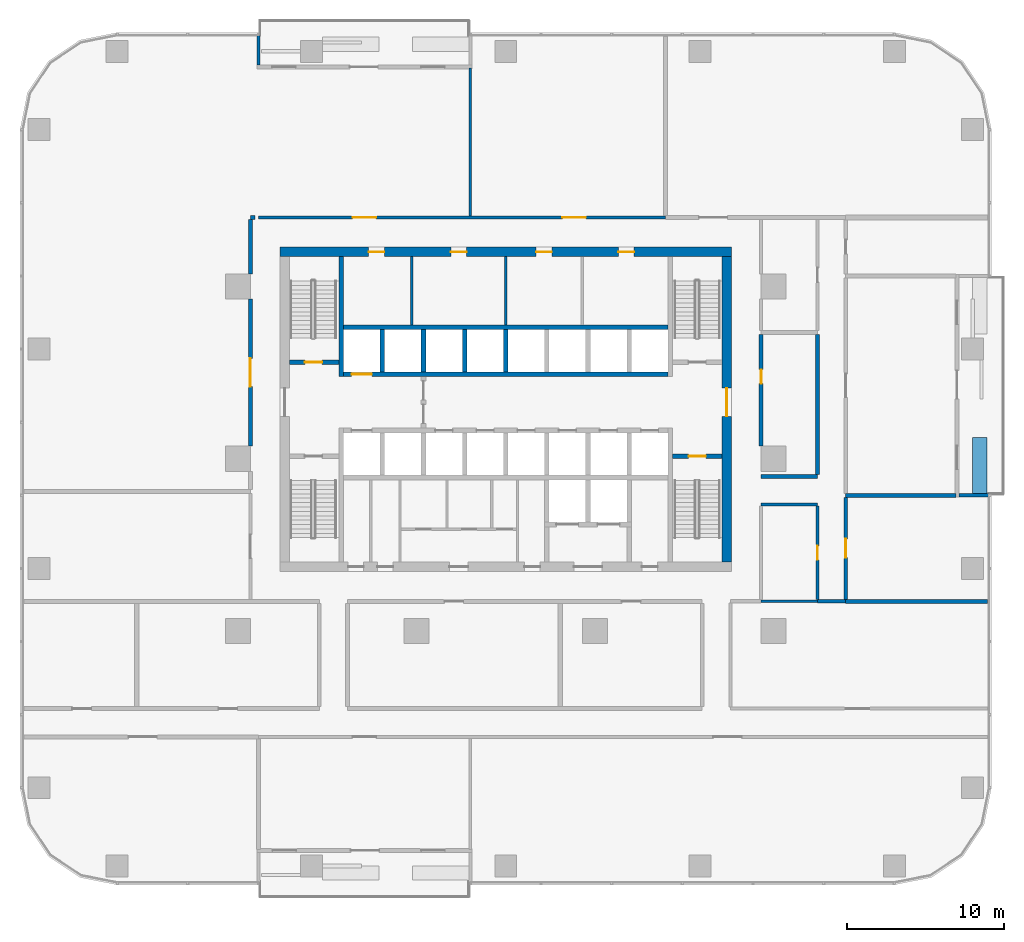
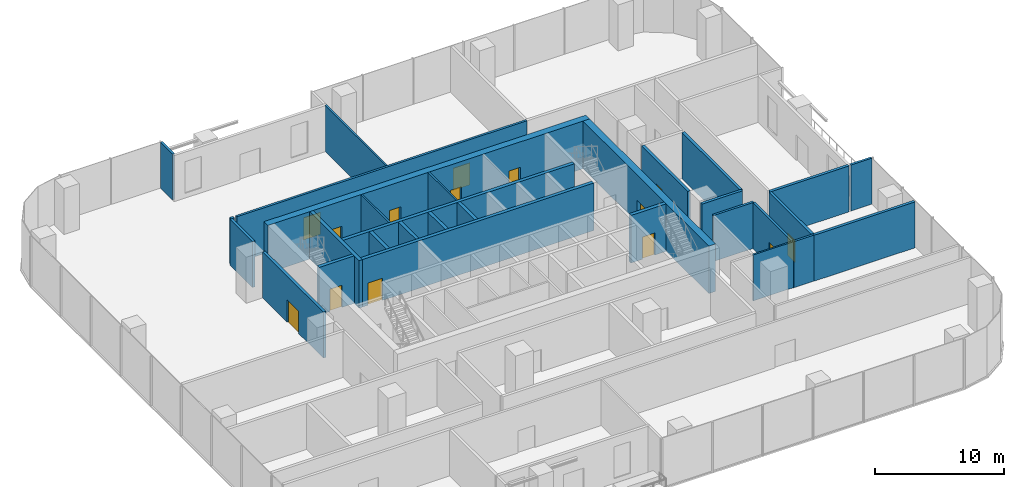
# One storey, part 9 of 15: 31 walls, 14 doors, 14 openings.
"""IFC4 building model written with IfcOpenShell, lengths in metres."""

from ifc_helpers import new_model, si_unit, direction, frame, frame_2d, origin, place, context, subcontext, project, spatial, rectangle, extrude, material, layer, layer_set, type_object, element, fill, save


model = new_model("IFC4")

# Units and contexts
model_context = context("Model", 3, precision=1e-05, world=origin(), true_north=direction((0.0, 1.0)))
body_context = subcontext(model_context, "Body", "Model", "MODEL_VIEW")
ifc_project = project(units=[si_unit("LENGTHUNIT", "METRE"), si_unit("AREAUNIT", "SQUARE_METRE"), si_unit("VOLUMEUNIT", "CUBIC_METRE"), si_unit("PLANEANGLEUNIT", "RADIAN"), si_unit("MASSUNIT", "GRAM", prefix="KILO")], contexts=[model_context])

# Site, building, storey
site_placement = place(None, origin())
site = spatial("IfcSite", under=ifc_project, at=site_placement, CompositionType="ELEMENT")
building_placement = place(site_placement, origin())
building = spatial("IfcBuilding", under=site, at=building_placement, Name="Mopane Tessera Tower", CompositionType="ELEMENT")
storey_placement = place(building_placement, frame((0.0, 0.0, 64.60009765625)))
storey = spatial("IfcBuildingStorey", under=building, at=storey_placement, Name="L12", CompositionType="ELEMENT", Elevation=64.60009765625)

# Walls
ifc_material_1 = material(Name="Fire-rated gypsum board partition")
ifc_layer_1 = layer(ifc_material_1, 0.14990234375)
ifc_layer_set_1 = layer_set([ifc_layer_1], Name="Fire-rated gypsum board partition")
wall_type_1 = type_object("IfcWallType", Name="Core room partition 150 mm", PredefinedType="PARTITIONING", material=ifc_layer_set_1)
for number, where, z_axis, x_axis, name in (
    (1, (-6.0, 8.550048828125, 0.0), (0.0, 0.0, 1.0), (0.0, 1.0, 0.0), "L12 Room partition"),
    (2, (0.0, 8.550048828125, 0.0), (0.0, 0.0, 1.0), (0.0, 1.0, 0.0), "L12 Room partition"),
):
    element("IfcWall", number, at=place(storey_placement, frame(where, z_axis=z_axis, x_axis=x_axis)), inside=storey, type_object=wall_type_1, Name=name, PredefinedType="PARTITIONING", context=body_context, shape_type="SweptSolid", body=[
        extrude(rectangle(XDim=4.349853515625, YDim=0.14990234375, at=frame_2d((2.1748046875, 0.0))), origin(), (0.0, 0.0, 1.0), 4.5),
    ])

# Wall, openings, doors
ifc_material_2 = material(Name="Concrete C70/85", Category="concrete")
ifc_layer_2 = layer(ifc_material_2, 0.60009765625)
ifc_layer_set_2 = layer_set([ifc_layer_2], Name="Concrete C70/85")
wall_type_2 = type_object("IfcWallType", Name="Core shear wall 600 mm", PredefinedType="SHEAR", material=ifc_layer_set_2)
wall_1_placement = place(storey_placement, frame((-14.39990234375, 13.199951171875, 0.0), z_axis=(0.0, 0.0, 1.0), x_axis=(1.0, 0.0, 0.0)))
wall_1 = element("IfcWall", 3, at=wall_1_placement, inside=storey, type_object=wall_type_2, Name="L12 Core wall north", PredefinedType="SHEAR", context=body_context, shape_type="SweptSolid", body=[
    extrude(rectangle(XDim=28.7998046875, YDim=0.60009765625, at=frame_2d((14.39990234375, 0.0))), origin(), (0.0, 0.0, 1.0), 4.5),
])
opening_1_placement = place(wall_1_placement, frame((5.64990234375, 0.0, 0.0)))
opening_1 = element("IfcOpeningElement", 4, at=opening_1_placement, cuts=wall_1, Name="Opening RD1", PredefinedType="OPENING", context=body_context, shape_type="SweptSolid", body=[
    extrude(rectangle(XDim=1.0, YDim=2.10009765625, at=frame_2d((0.5, 1.050048828125))), frame((0.0, 0.31201171875, 0.0), z_axis=(0.0, -1.0, 0.0), x_axis=(1.0, 0.0, 0.0)), (0.0, 0.0, 1.0), 0.6240234375),
])
opening_2_placement = place(wall_1_placement, frame((10.89990234375, 0.0, 0.0)))
opening_2 = element("IfcOpeningElement", 5, at=opening_2_placement, cuts=wall_1, Name="Opening RD1", PredefinedType="OPENING", context=body_context, shape_type="SweptSolid", body=[
    extrude(rectangle(XDim=1.0, YDim=2.10009765625, at=frame_2d((0.5, 1.050048828125))), frame((0.0, 0.31201171875, 0.0), z_axis=(0.0, -1.0, 0.0), x_axis=(1.0, 0.0, 0.0)), (0.0, 0.0, 1.0), 0.6240234375),
])
opening_3_placement = place(wall_1_placement, frame((16.33740234375, 0.0, 0.0)))
opening_3 = element("IfcOpeningElement", 6, at=opening_3_placement, cuts=wall_1, Name="Opening RD1", PredefinedType="OPENING", context=body_context, shape_type="SweptSolid", body=[
    extrude(rectangle(XDim=1.0, YDim=2.10009765625, at=frame_2d((0.5, 1.050048828125))), frame((0.0, 0.31201171875, 0.0), z_axis=(0.0, -1.0, 0.0), x_axis=(1.0, 0.0, 0.0)), (0.0, 0.0, 1.0), 0.6240234375),
])
opening_4_placement = place(wall_1_placement, frame((21.58740234375, 0.0, 0.0)))
opening_4 = element("IfcOpeningElement", 7, at=opening_4_placement, cuts=wall_1, Name="Opening RD1", PredefinedType="OPENING", context=body_context, shape_type="SweptSolid", body=[
    extrude(rectangle(XDim=1.0, YDim=2.10009765625, at=frame_2d((0.5, 1.050048828125))), frame((0.0, 0.31201171875, 0.0), z_axis=(0.0, -1.0, 0.0), x_axis=(1.0, 0.0, 0.0)), (0.0, 0.0, 1.0), 0.6240234375),
])
ifc_material_3 = material(Name="Timber door", Category="wood")
door_type_1 = type_object("IfcDoorType", Name="Core room door 1000 x 2100", OperationType="SINGLE_SWING_LEFT", PredefinedType="DOOR", material=ifc_material_3)
door_1_placement = place(opening_1_placement, origin())
door_1 = element("IfcDoor", 8, at=door_1_placement, inside=storey, type_object=door_type_1, Name="L12 Room door", OperationType="SINGLE_SWING_LEFT", OverallHeight=2.10009765625, OverallWidth=1.0, PredefinedType="DOOR", context=body_context, shape_type="SweptSolid", body=[
    extrude(rectangle(XDim=1.0, YDim=2.10009765625, at=frame_2d((0.5, 1.050048828125))), frame((0.0, 0.02490234375, 0.0), z_axis=(0.0, -1.0, 0.0), x_axis=(1.0, 0.0, 0.0)), (0.0, 0.0, 1.0), 0.050048828125),
])
fill(opening_1, door_1)
door_2_placement = place(opening_2_placement, origin())
door_2 = element("IfcDoor", 9, at=door_2_placement, inside=storey, type_object=door_type_1, Name="L12 Room door", OperationType="SINGLE_SWING_LEFT", OverallHeight=2.10009765625, OverallWidth=1.0, PredefinedType="DOOR", context=body_context, shape_type="SweptSolid", body=[
    extrude(rectangle(XDim=1.0, YDim=2.10009765625, at=frame_2d((0.5, 1.050048828125))), frame((0.0, 0.02490234375, 0.0), z_axis=(0.0, -1.0, 0.0), x_axis=(1.0, 0.0, 0.0)), (0.0, 0.0, 1.0), 0.050048828125),
])
fill(opening_2, door_2)
door_3_placement = place(opening_3_placement, origin())
door_3 = element("IfcDoor", 10, at=door_3_placement, inside=storey, type_object=door_type_1, Name="L12 Room door", OperationType="SINGLE_SWING_LEFT", OverallHeight=2.10009765625, OverallWidth=1.0, PredefinedType="DOOR", context=body_context, shape_type="SweptSolid", body=[
    extrude(rectangle(XDim=1.0, YDim=2.10009765625, at=frame_2d((0.5, 1.050048828125))), frame((0.0, 0.02490234375, 0.0), z_axis=(0.0, -1.0, 0.0), x_axis=(1.0, 0.0, 0.0)), (0.0, 0.0, 1.0), 0.050048828125),
])
fill(opening_3, door_3)
door_4_placement = place(opening_4_placement, origin())
door_4 = element("IfcDoor", 11, at=door_4_placement, inside=storey, type_object=door_type_1, Name="L12 Room door", OperationType="SINGLE_SWING_LEFT", OverallHeight=2.10009765625, OverallWidth=1.0, PredefinedType="DOOR", context=body_context, shape_type="SweptSolid", body=[
    extrude(rectangle(XDim=1.0, YDim=2.10009765625, at=frame_2d((0.5, 1.050048828125))), frame((0.0, 0.02490234375, 0.0), z_axis=(0.0, -1.0, 0.0), x_axis=(1.0, 0.0, 0.0)), (0.0, 0.0, 1.0), 0.050048828125),
])
fill(opening_4, door_4)

# Wall, opening, door
wall_2_placement = place(storey_placement, frame((14.10009765625, -6.60009765625, 0.0), z_axis=(0.0, 0.0, 1.0), x_axis=(0.0, 1.0, 0.0)))
wall_2 = element("IfcWall", 12, at=wall_2_placement, inside=storey, type_object=wall_type_2, Name="L12 Core wall east", PredefinedType="SHEAR", context=body_context, shape_type="SweptSolid", body=[
    extrude(rectangle(XDim=19.5, YDim=0.60009765625, at=frame_2d((9.75, 0.0))), origin(), (0.0, 0.0, 1.0), 4.5),
])
opening_5_placement = place(wall_2_placement, frame((9.300048828125, 0.0, 0.0)))
opening_5 = element("IfcOpeningElement", 13, at=opening_5_placement, cuts=wall_2, Name="Opening SD2", PredefinedType="OPENING", context=body_context, shape_type="SweptSolid", body=[
    extrude(rectangle(XDim=1.800048828125, YDim=2.10009765625, at=frame_2d((0.89990234375, 1.050048828125))), frame((0.0, 0.31201171875, 0.0), z_axis=(0.0, -1.0, 0.0), x_axis=(1.0, 0.0, 0.0)), (0.0, 0.0, 1.0), 0.6240234375),
])
ifc_material_4 = material(Name="Steel fire door", Category="steel")
door_type_2 = type_object("IfcDoorType", Name="Core entrance double door 1800 x 2100", OperationType="DOUBLE_DOOR_SINGLE_SWING", PredefinedType="DOOR", material=ifc_material_4)
door_5_placement = place(opening_5_placement, origin())
door_5 = element("IfcDoor", 14, at=door_5_placement, inside=storey, type_object=door_type_2, Name="L12 Core entrance door east", OperationType="DOUBLE_DOOR_SINGLE_SWING", OverallHeight=2.10009765625, OverallWidth=1.800048828125, PredefinedType="DOOR", context=body_context, shape_type="SweptSolid", body=[
    extrude(rectangle(XDim=1.800048828125, YDim=2.10009765625, at=frame_2d((0.89990234375, 1.050048828125))), frame((0.0, 0.02490234375, 0.0), z_axis=(0.0, -1.0, 0.0), x_axis=(1.0, 0.0, 0.0)), (0.0, 0.0, 1.0), 0.050048828125),
])
fill(opening_5, door_5)

# Walls
ifc_material_5 = material(Name="Concrete C60/75", Category="concrete")
ifc_layer_3 = layer(ifc_material_5, 0.300048828125)
ifc_layer_set_3 = layer_set([ifc_layer_3], Name="Concrete C60/75")
wall_type_3 = type_object("IfcWallType", Name="Core spine wall 300 mm", PredefinedType="SHEAR", material=ifc_layer_set_3)
wall_3_placement = place(storey_placement, frame((-10.5, 5.25, 0.0), z_axis=(0.0, 0.0, 1.0), x_axis=(0.0, 1.0, 0.0)))
element("IfcWall", 15, at=wall_3_placement, inside=storey, type_object=wall_type_3, Name="L12 Core spine wall", PredefinedType="SHEAR", context=body_context, shape_type="SweptSolid", body=[
    extrude(rectangle(XDim=7.64990234375, YDim=0.300048828125, at=frame_2d((3.824951171875, 0.0))), origin(), (0.0, 0.0, 1.0), 4.5),
])
ifc_material_6 = material(Name="Gypsum board on steel studs, two layers each face, mineral wool infill", Category="steel")
ifc_layer_4 = layer(ifc_material_6, 0.199951171875)
ifc_layer_set_4 = layer_set([ifc_layer_4], Name="Gypsum board on steel studs, two layers each face, mineral wool infill")
wall_type_4 = type_object("IfcWallType", Name="Gypsum board corridor wall 200, rated EI 60", PredefinedType="PARTITIONING", material=ifc_layer_set_4)
wall_4_placement = place(storey_placement, frame((19.89990234375, -9.10009765625, 0.0), z_axis=(0.0, 0.0, 1.0), x_axis=(1.0, 0.0, 0.0)))
element("IfcWall", 16, at=wall_4_placement, inside=storey, type_object=wall_type_4, Name="Partition L12:007", PredefinedType="PARTITIONING", context=body_context, shape_type="SweptSolid", body=[
    extrude(rectangle(XDim=1.800048828125, YDim=0.199951171875, at=frame_2d((0.89990234375, 0.0))), origin(), (0.0, 0.0, 1.0), 4.349853515625),
])
wall_5_placement = place(storey_placement, frame((16.300048828125, -2.925048828125, 0.0), z_axis=(0.0, 0.0, 1.0), x_axis=(1.0, 0.0, 0.0)))
element("IfcWall", 17, at=wall_5_placement, inside=storey, type_object=wall_type_4, Name="Partition L12:011", PredefinedType="PARTITIONING", context=body_context, shape_type="SweptSolid", body=[
    extrude(rectangle(XDim=3.599853515625, YDim=0.199951171875, at=frame_2d((1.7998046875, 0.0))), origin(), (0.0, 0.0, 1.0), 4.349853515625),
])

# Wall, openings, doors
wall_6_placement = place(storey_placement, frame((-15.780029296875, 15.39990234375, 0.0), z_axis=(0.0, 0.0, 1.0), x_axis=(1.0, 0.0, 0.0)))
wall_6 = element("IfcWall", 18, at=wall_6_placement, inside=storey, type_object=wall_type_4, Name="Partition L12:017", PredefinedType="PARTITIONING", context=body_context, shape_type="SweptSolid", body=[
    extrude(rectangle(XDim=25.965087890625, YDim=0.199951171875, at=frame_2d((12.982421875, 0.0))), origin(), (0.0, 0.0, 1.0), 4.349853515625),
])
opening_6_placement = place(wall_6_placement, frame((19.39501953125, 0.0, 0.0)))
opening_6 = element("IfcOpeningElement", 19, at=opening_6_placement, cuts=wall_6, Name="Opening L12-13", PredefinedType="OPENING", context=body_context, shape_type="SweptSolid", body=[
    extrude(rectangle(XDim=1.5, YDim=2.10009765625, at=frame_2d((0.75, 1.050048828125))), frame((0.0, 0.112060546875, 0.0), z_axis=(0.0, -1.0, 0.0), x_axis=(1.0, 0.0, 0.0)), (0.0, 0.0, 1.0), 0.223876953125),
])
opening_7_placement = place(wall_6_placement, frame((6.012451171875, 0.0, 0.0)))
opening_7 = element("IfcOpeningElement", 20, at=opening_7_placement, cuts=wall_6, Name="Opening L12-17", PredefinedType="OPENING", context=body_context, shape_type="SweptSolid", body=[
    extrude(rectangle(XDim=1.5, YDim=2.10009765625, at=frame_2d((0.75, 1.050048828125))), frame((0.0, 0.112060546875, 0.0), z_axis=(0.0, -1.0, 0.0), x_axis=(1.0, 0.0, 0.0)), (0.0, 0.0, 1.0), 0.223876953125),
])
ifc_material_7 = material(Name="Timber veneered steel-framed fire door", Category="steel")
door_type_3 = type_object("IfcDoorType", Name="Fire door pair FD60 1500 x 2100", OperationType="DOUBLE_DOOR_SINGLE_SWING", PredefinedType="DOOR", material=ifc_material_7)
door_6_placement = place(opening_6_placement, origin())
door_6 = element("IfcDoor", 21, at=door_6_placement, inside=storey, type_object=door_type_3, Name="Door L12-13", ObjectType="D17A", OperationType="DOUBLE_DOOR_SINGLE_SWING", OverallHeight=2.10009765625, OverallWidth=1.5, PredefinedType="DOOR", context=body_context, shape_type="SweptSolid", body=[
    extrude(rectangle(XDim=1.5, YDim=2.10009765625, at=frame_2d((0.75, 1.050048828125))), frame((0.0, 0.02490234375, 0.0), z_axis=(0.0, -1.0, 0.0), x_axis=(1.0, 0.0, 0.0)), (0.0, 0.0, 1.0), 0.050048828125),
])
fill(opening_6, door_6)
door_7_placement = place(opening_7_placement, origin())
door_7 = element("IfcDoor", 22, at=door_7_placement, inside=storey, type_object=door_type_3, Name="Door L12-17", ObjectType="D17A", OperationType="DOUBLE_DOOR_SINGLE_SWING", OverallHeight=2.10009765625, OverallWidth=1.5, PredefinedType="DOOR", context=body_context, shape_type="SweptSolid", body=[
    extrude(rectangle(XDim=1.5, YDim=2.10009765625, at=frame_2d((0.75, 1.050048828125))), frame((0.0, 0.02490234375, 0.0), z_axis=(0.0, -1.0, 0.0), x_axis=(1.0, 0.0, 0.0)), (0.0, 0.0, 1.0), 0.050048828125),
])
fill(opening_7, door_7)

# Wall, opening, door
wall_7_placement = place(storey_placement, frame((19.89990234375, -9.0, 0.0), z_axis=(0.0, 0.0, 1.0), x_axis=(0.0, 1.0, 0.0)))
wall_7 = element("IfcWall", 23, at=wall_7_placement, inside=storey, type_object=wall_type_4, Name="Partition L12:039", PredefinedType="PARTITIONING", context=body_context, shape_type="SweptSolid", body=[
    extrude(rectangle(XDim=5.97509765625, YDim=0.199951171875, at=frame_2d((2.987548828125, 0.0))), origin(), (0.0, 0.0, 1.0), 4.349853515625),
])
opening_8_placement = place(wall_7_placement, frame((2.53759765625, 0.0, 0.0)))
opening_8 = element("IfcOpeningElement", 24, at=opening_8_placement, cuts=wall_7, Name="Opening L12-14", PredefinedType="OPENING", context=body_context, shape_type="SweptSolid", body=[
    extrude(rectangle(XDim=0.89990234375, YDim=2.10009765625, at=frame_2d((0.449951171875, 1.050048828125))), frame((0.0, 0.112060546875, 0.0), z_axis=(0.0, -1.0, 0.0), x_axis=(1.0, 0.0, 0.0)), (0.0, 0.0, 1.0), 0.223876953125),
])
ifc_material_8 = material(Name="Timber veneered steel-framed fire door", Category="steel")
door_type_4 = type_object("IfcDoorType", Name="Fire door FD60 900 x 2100", OperationType="SINGLE_SWING_LEFT", PredefinedType="DOOR", material=ifc_material_8)
door_8_placement = place(opening_8_placement, origin())
door_8 = element("IfcDoor", 25, at=door_8_placement, inside=storey, type_object=door_type_4, Name="Door L12-14", ObjectType="D10A", OperationType="SINGLE_SWING_LEFT", OverallHeight=2.10009765625, OverallWidth=0.89990234375, PredefinedType="DOOR", context=body_context, shape_type="SweptSolid", body=[
    extrude(rectangle(XDim=0.89990234375, YDim=2.10009765625, at=frame_2d((0.449951171875, 1.050048828125))), frame((0.0, 0.02490234375, 0.0), z_axis=(0.0, -1.0, 0.0), x_axis=(1.0, 0.0, 0.0)), (0.0, 0.0, 1.0), 0.050048828125),
])
fill(opening_8, door_8)

# Walls
ifc_material_9 = material(Name="Gypsum board on steel studs, mineral wool infill", Category="steel")
ifc_layer_5 = layer(ifc_material_9, 0.14990234375)
ifc_layer_set_5 = layer_set([ifc_layer_5], Name="Gypsum board on steel studs, mineral wool infill")
wall_type_5 = type_object("IfcWallType", Name="Gypsum board partition 150, rated EI 60", PredefinedType="PARTITIONING", material=ifc_layer_set_5)
wall_8_placement = place(storey_placement, frame((16.300048828125, -9.10009765625, 0.0), z_axis=(0.0, 0.0, 1.0), x_axis=(1.0, 0.0, 0.0)))
element("IfcWall", 26, at=wall_8_placement, inside=storey, type_object=wall_type_5, Name="Partition L12:005", PredefinedType="PARTITIONING", context=body_context, shape_type="SweptSolid", body=[
    extrude(rectangle(XDim=3.599853515625, YDim=0.14990234375, at=frame_2d((1.7998046875, 0.0))), origin(), (0.0, 0.0, 1.0), 4.349853515625),
])
wall_9_placement = place(storey_placement, frame((-2.2548828125, 15.5, 0.0), z_axis=(0.0, 0.0, 1.0), x_axis=(0.0, 1.0, 0.0)))
element("IfcWall", 27, at=wall_9_placement, inside=storey, type_object=wall_type_5, Name="Partition L12:030", PredefinedType="PARTITIONING", context=body_context, shape_type="SweptSolid", body=[
    extrude(rectangle(XDim=9.449951171875, YDim=0.14990234375, at=frame_2d((4.72509765625, 0.0))), origin(), (0.0, 0.0, 1.0), 4.349853515625),
])

# Wall, opening, door
ifc_material_10 = material(Name="Concrete C50/60", Category="concrete")
ifc_layer_6 = layer(ifc_material_10, 0.300048828125)
ifc_layer_set_6 = layer_set([ifc_layer_6], Name="Concrete C50/60")
wall_type_6 = type_object("IfcWallType", Name="Lift and stair shaft wall 300 mm", PredefinedType="SOLIDWALL", material=ifc_layer_set_6)
wall_10_placement = place(storey_placement, frame((-13.800048828125, 6.14990234375, 0.0), z_axis=(0.0, 0.0, 1.0), x_axis=(1.0, 0.0, 0.0)))
wall_10 = element("IfcWall", 28, at=wall_10_placement, inside=storey, type_object=wall_type_6, Name="L12 Stair enclosure wall", PredefinedType="SOLIDWALL", context=body_context, shape_type="SweptSolid", body=[
    extrude(rectangle(XDim=3.150146484375, YDim=0.300048828125, at=frame_2d((1.5751953125, 0.0))), origin(), (0.0, 0.0, 1.0), 4.5),
])
opening_9_placement = place(wall_10_placement, frame((0.97509765625, 0.0, 0.0)))
opening_9 = element("IfcOpeningElement", 29, at=opening_9_placement, cuts=wall_10, Name="Opening SD1", PredefinedType="OPENING", context=body_context, shape_type="SweptSolid", body=[
    extrude(rectangle(XDim=1.10009765625, YDim=2.10009765625, at=frame_2d((0.550048828125, 1.050048828125))), frame((0.0, 0.162109375, 0.0), z_axis=(0.0, -1.0, 0.0), x_axis=(1.0, 0.0, 0.0)), (0.0, 0.0, 1.0), 0.323974609375),
])
ifc_material_11 = material(Name="Steel fire door", Category="steel")
door_type_5 = type_object("IfcDoorType", Name="Stair fire door 1100 x 2100", OperationType="SINGLE_SWING_LEFT", PredefinedType="DOOR", material=ifc_material_11)
door_9_placement = place(opening_9_placement, origin())
door_9 = element("IfcDoor", 30, at=door_9_placement, inside=storey, type_object=door_type_5, Name="L12 Stair door ST2", OperationType="SINGLE_SWING_LEFT", OverallHeight=2.10009765625, OverallWidth=1.10009765625, PredefinedType="DOOR", context=body_context, shape_type="SweptSolid", body=[
    extrude(rectangle(XDim=1.10009765625, YDim=2.10009765625, at=frame_2d((0.550048828125, 1.050048828125))), frame((0.0, 0.02490234375, 0.0), z_axis=(0.0, -1.0, 0.0), x_axis=(1.0, 0.0, 0.0)), (0.0, 0.0, 1.0), 0.050048828125),
])
fill(opening_9, door_9)

wall_11_placement = place(storey_placement, frame((10.64990234375, 0.14990234375, 0.0), z_axis=(0.0, 0.0, 1.0), x_axis=(1.0, 0.0, 0.0)))
wall_11 = element("IfcWall", 31, at=wall_11_placement, inside=storey, type_object=wall_type_6, Name="L12 Stair enclosure wall", PredefinedType="SOLIDWALL", context=body_context, shape_type="SweptSolid", body=[
    extrude(rectangle(XDim=3.150146484375, YDim=0.300048828125, at=frame_2d((1.5751953125, 0.0))), origin(), (0.0, 0.0, 1.0), 4.5),
])
opening_10_placement = place(wall_11_placement, frame((1.02490234375, 0.0, 0.0)))
opening_10 = element("IfcOpeningElement", 32, at=opening_10_placement, cuts=wall_11, Name="Opening SD1", PredefinedType="OPENING", context=body_context, shape_type="SweptSolid", body=[
    extrude(rectangle(XDim=1.10009765625, YDim=2.10009765625, at=frame_2d((0.550048828125, 1.050048828125))), frame((0.0, 0.162109375, 0.0), z_axis=(0.0, -1.0, 0.0), x_axis=(1.0, 0.0, 0.0)), (0.0, 0.0, 1.0), 0.323974609375),
])
door_10_placement = place(opening_10_placement, origin())
door_10 = element("IfcDoor", 33, at=door_10_placement, inside=storey, type_object=door_type_5, Name="L12 Stair door ST3", OperationType="SINGLE_SWING_RIGHT", OverallHeight=2.10009765625, OverallWidth=1.10009765625, PredefinedType="DOOR", context=body_context, shape_type="SweptSolid", body=[
    extrude(rectangle(XDim=1.10009765625, YDim=2.10009765625, at=frame_2d((0.550048828125, 1.050048828125))), frame((0.0, 0.02490234375, 0.0), z_axis=(0.0, -1.0, 0.0), x_axis=(1.0, 0.0, 0.0)), (0.0, 0.0, 1.0), 0.050048828125),
])
fill(opening_10, door_10)

wall_12_placement = place(storey_placement, frame((-10.35009765625, 5.39990234375, 0.0), z_axis=(0.0, 0.0, 1.0), x_axis=(1.0, 0.0, 0.0)))
wall_12 = element("IfcWall", 34, at=wall_12_placement, inside=storey, type_object=wall_type_6, Name="L12 Lift shaft front wall", PredefinedType="SOLIDWALL", context=body_context, shape_type="SweptSolid", body=[
    extrude(rectangle(XDim=20.7001953125, YDim=0.300048828125, at=frame_2d((10.35009765625, 0.0))), origin(), (0.0, 0.0, 1.0), 4.5),
])
opening_11_placement = place(wall_12_placement, frame((0.512451171875, 0.0, 0.0)))
opening_11 = element("IfcOpeningElement", 35, at=opening_11_placement, cuts=wall_12, Name="Opening LD2", PredefinedType="OPENING", context=body_context, shape_type="SweptSolid", body=[
    extrude(rectangle(XDim=1.300048828125, YDim=2.10009765625, at=frame_2d((0.64990234375, 1.050048828125))), frame((0.0, 0.162109375, 0.0), z_axis=(0.0, -1.0, 0.0), x_axis=(1.0, 0.0, 0.0)), (0.0, 0.0, 1.0), 0.323974609375),
])
ifc_material_12 = material(Name="Stainless steel sliding door", Category="steel")
door_type_6 = type_object("IfcDoorType", Name="Fire-fighting lift landing door 1300 x 2100", OperationType="DOUBLE_DOOR_SLIDING", PredefinedType="DOOR", material=ifc_material_12)
door_11_placement = place(opening_11_placement, origin())
door_11 = element("IfcDoor", 36, at=door_11_placement, inside=storey, type_object=door_type_6, Name="L12 Lift landing door FF2", OperationType="DOUBLE_DOOR_SLIDING", OverallHeight=2.10009765625, OverallWidth=1.300048828125, PredefinedType="DOOR", context=body_context, shape_type="SweptSolid", body=[
    extrude(rectangle(XDim=1.300048828125, YDim=2.10009765625, at=frame_2d((0.64990234375, 1.050048828125))), frame((0.0, 0.02490234375, 0.0), z_axis=(0.0, -1.0, 0.0), x_axis=(1.0, 0.0, 0.0)), (0.0, 0.0, 1.0), 0.050048828125),
])
fill(opening_11, door_11)

# Walls
wall_13_placement = place(storey_placement, frame((-10.35009765625, 8.39990234375, 0.0), z_axis=(0.0, 0.0, 1.0), x_axis=(1.0, 0.0, 0.0)))
element("IfcWall", 37, at=wall_13_placement, inside=storey, type_object=wall_type_6, Name="L12 Lift shaft rear wall", PredefinedType="SOLIDWALL", context=body_context, shape_type="SweptSolid", body=[
    extrude(rectangle(XDim=20.7001953125, YDim=0.300048828125, at=frame_2d((10.35009765625, 0.0))), origin(), (0.0, 0.0, 1.0), 4.5),
])
for number, where, z_axis, x_axis, name in (
    (38, (-7.875, 5.550048828125, 0.0), (0.0, 0.0, 1.0), (0.0, 1.0, 0.0), "L12 Lift shaft wall"),
    (39, (-5.25, 5.550048828125, 0.0), (0.0, 0.0, 1.0), (0.0, 1.0, 0.0), "L12 Lift shaft wall"),
    (40, (-2.625, 5.550048828125, 0.0), (0.0, 0.0, 1.0), (0.0, 1.0, 0.0), "L12 Lift shaft wall"),
    (41, (0.0, 5.550048828125, 0.0), (0.0, 0.0, 1.0), (0.0, 1.0, 0.0), "L12 Lift shaft wall"),
):
    element("IfcWall", number, at=place(storey_placement, frame(where, z_axis=z_axis, x_axis=x_axis)), inside=storey, type_object=wall_type_6, Name=name, PredefinedType="SOLIDWALL", context=body_context, shape_type="SweptSolid", body=[
        extrude(rectangle(XDim=2.699951171875, YDim=0.300048828125, at=frame_2d((1.35009765625, 0.0))), origin(), (0.0, 0.0, 1.0), 4.5),
    ])
ifc_material_13 = material(Name="Reinforced concrete C32/40 with waterproofing", Category="concrete")
ifc_layer_7 = layer(ifc_material_13, 0.89990234375)
ifc_layer_set_7 = layer_set([ifc_layer_7], Name="Reinforced concrete C32/40 with waterproofing")
wall_type_7 = type_object("IfcWallType", Name="Planter trough 3600 x 900", PredefinedType="STANDARD", material=ifc_layer_set_7)
wall_14_placement = place(storey_placement, frame((30.25, -2.2333984375, 0.0), z_axis=(0.0, 0.0, 1.0), x_axis=(0.0, 1.0, 0.0)))
element("IfcWall", 42, at=wall_14_placement, inside=storey, type_object=wall_type_7, Name="e:nw:L12:N1:pl0", PredefinedType="STANDARD", context=body_context, shape_type="SweptSolid", body=[
    extrude(rectangle(XDim=3.60009765625, YDim=0.89990234375, at=frame_2d((1.800048828125, 0.0))), origin(), (0.0, 0.0, 1.0), 0.699951171875),
])
ifc_material_14 = material(Name="Plastered concrete blockwork C20/25", Category="masonry")
ifc_layer_8 = layer(ifc_material_14, 0.25)
ifc_layer_set_8 = layer_set([ifc_layer_8], Name="Plastered concrete blockwork C20/25")
wall_type_8 = type_object("IfcWallType", Name="Plastered blockwork wall 250, rated EI 120", PredefinedType="PARTITIONING", material=ifc_layer_set_8)
wall_15_placement = place(storey_placement, frame((21.699951171875, -9.10009765625, 0.0), z_axis=(0.0, 0.0, 1.0), x_axis=(1.0, 0.0, 0.0)))
element("IfcWall", 43, at=wall_15_placement, inside=storey, type_object=wall_type_8, Name="Partition L12:010", PredefinedType="PARTITIONING", context=body_context, shape_type="SweptSolid", body=[
    extrude(rectangle(XDim=9.050048828125, YDim=0.25, at=frame_2d((4.52490234375, 0.0))), origin(), (0.0, 0.0, 1.0), 4.349853515625),
])
wall_16_placement = place(storey_placement, frame((21.699951171875, -2.3349609375, 0.0), z_axis=(0.0, 0.0, 1.0), x_axis=(1.0, 0.0, 0.0)))
element("IfcWall", 44, at=wall_16_placement, inside=storey, type_object=wall_type_8, Name="Partition L12:012", PredefinedType="PARTITIONING", context=body_context, shape_type="SweptSolid", body=[
    extrude(rectangle(XDim=7.050048828125, YDim=0.25, at=frame_2d((3.52490234375, 0.0))), origin(), (0.0, 0.0, 1.0), 4.349853515625),
])
wall_17_placement = place(storey_placement, frame((16.300048828125, -1.125, 0.0), z_axis=(0.0, 0.0, 1.0), x_axis=(1.0, 0.0, 0.0)))
element("IfcWall", 45, at=wall_17_placement, inside=storey, type_object=wall_type_8, Name="Partition L12:014", PredefinedType="PARTITIONING", context=body_context, shape_type="SweptSolid", body=[
    extrude(rectangle(XDim=3.599853515625, YDim=0.25, at=frame_2d((1.7998046875, 0.0))), origin(), (0.0, 0.0, 1.0), 4.349853515625),
])
wall_18_placement = place(storey_placement, frame((-16.300048828125, 15.39990234375, 0.0), z_axis=(0.0, 0.0, 1.0), x_axis=(1.0, 0.0, 0.0)))
element("IfcWall", 46, at=wall_18_placement, inside=storey, type_object=wall_type_8, Name="Partition L12:018", PredefinedType="PARTITIONING", context=body_context, shape_type="SweptSolid", body=[
    extrude(rectangle(XDim=0.300048828125, YDim=0.25, at=frame_2d((0.14990234375, 0.0))), origin(), (0.0, 0.0, 1.0), 4.349853515625),
])

# Wall, opening, door
wall_19_placement = place(storey_placement, frame((-16.300048828125, 0.800048828125, 0.0), z_axis=(0.0, 0.0, 1.0), x_axis=(0.0, 1.0, 0.0)))
wall_19 = element("IfcWall", 47, at=wall_19_placement, inside=storey, type_object=wall_type_8, Name="Partition L12:024", PredefinedType="PARTITIONING", context=body_context, shape_type="SweptSolid", body=[
    extrude(rectangle(XDim=9.39990234375, YDim=0.25, at=frame_2d((4.699951171875, 0.0))), origin(), (0.0, 0.0, 1.0), 4.349853515625),
])
opening_12_placement = place(wall_19_placement, frame((3.800048828125, 0.0, 0.0)))
opening_12 = element("IfcOpeningElement", 48, at=opening_12_placement, cuts=wall_19, Name="Opening L12-07", PredefinedType="OPENING", context=body_context, shape_type="SweptSolid", body=[
    extrude(rectangle(XDim=1.800048828125, YDim=2.10009765625, at=frame_2d((0.89990234375, 1.050048828125))), frame((0.0, 0.136962890625, 0.0), z_axis=(0.0, -1.0, 0.0), x_axis=(1.0, 0.0, 0.0)), (0.0, 0.0, 1.0), 0.27392578125),
])
ifc_material_15 = material(Name="Timber veneered steel-framed fire door", Category="steel")
door_type_7 = type_object("IfcDoorType", Name="Fire door pair FD120 1800 x 2100", OperationType="DOUBLE_DOOR_SINGLE_SWING", PredefinedType="DOOR", material=ifc_material_15)
door_12_placement = place(opening_12_placement, origin())
door_12 = element("IfcDoor", 49, at=door_12_placement, inside=storey, type_object=door_type_7, Name="Door L12-07", ObjectType="D20B", OperationType="DOUBLE_DOOR_SINGLE_SWING", OverallHeight=2.10009765625, OverallWidth=1.800048828125, PredefinedType="DOOR", context=body_context, shape_type="SweptSolid", body=[
    extrude(rectangle(XDim=1.800048828125, YDim=2.10009765625, at=frame_2d((0.89990234375, 1.050048828125))), frame((0.0, 0.02490234375, 0.0), z_axis=(0.0, -1.0, 0.0), x_axis=(1.0, 0.0, 0.0)), (0.0, 0.0, 1.0), 0.050048828125),
])
fill(opening_12, door_12)

# Wall
wall_20_placement = place(storey_placement, frame((-16.300048828125, 11.800048828125, 0.0), z_axis=(0.0, 0.0, 1.0), x_axis=(0.0, 1.0, 0.0)))
element("IfcWall", 50, at=wall_20_placement, inside=storey, type_object=wall_type_8, Name="Partition L12:025", PredefinedType="PARTITIONING", context=body_context, shape_type="SweptSolid", body=[
    extrude(rectangle(XDim=3.474853515625, YDim=0.25, at=frame_2d((1.7373046875, 0.0))), origin(), (0.0, 0.0, 1.0), 4.349853515625),
])

# Wall, opening, door
wall_21_placement = place(storey_placement, frame((16.300048828125, 0.800048828125, 0.0), z_axis=(0.0, 0.0, 1.0), x_axis=(0.0, 1.0, 0.0)))
wall_21 = element("IfcWall", 51, at=wall_21_placement, inside=storey, type_object=wall_type_8, Name="Partition L12:038", PredefinedType="PARTITIONING", context=body_context, shape_type="SweptSolid", body=[
    extrude(rectangle(XDim=7.1298828125, YDim=0.25, at=frame_2d((3.56494140625, 0.0))), origin(), (0.0, 0.0, 1.0), 4.349853515625),
])
opening_13_placement = place(wall_21_placement, frame((3.987548828125, 0.0, 0.0)))
opening_13 = element("IfcOpeningElement", 52, at=opening_13_placement, cuts=wall_21, Name="Opening L12-12", PredefinedType="OPENING", context=body_context, shape_type="SweptSolid", body=[
    extrude(rectangle(XDim=0.89990234375, YDim=2.10009765625, at=frame_2d((0.449951171875, 1.050048828125))), frame((0.0, 0.136962890625, 0.0), z_axis=(0.0, -1.0, 0.0), x_axis=(1.0, 0.0, 0.0)), (0.0, 0.0, 1.0), 0.27392578125),
])
ifc_material_16 = material(Name="Timber veneered steel-framed fire door", Category="steel")
door_type_8 = type_object("IfcDoorType", Name="Fire door FD120 900 x 2100", OperationType="SINGLE_SWING_LEFT", PredefinedType="DOOR", material=ifc_material_16)
door_13_placement = place(opening_13_placement, origin())
door_13 = element("IfcDoor", 53, at=door_13_placement, inside=storey, type_object=door_type_8, Name="Door L12-12", ObjectType="D10B", OperationType="SINGLE_SWING_LEFT", OverallHeight=2.10009765625, OverallWidth=0.89990234375, PredefinedType="DOOR", context=body_context, shape_type="SweptSolid", body=[
    extrude(rectangle(XDim=0.89990234375, YDim=2.10009765625, at=frame_2d((0.449951171875, 1.050048828125))), frame((0.0, 0.02490234375, 0.0), z_axis=(0.0, -1.0, 0.0), x_axis=(1.0, 0.0, 0.0)), (0.0, 0.0, 1.0), 0.050048828125),
])
fill(opening_13, door_13)

# Wall
wall_22_placement = place(storey_placement, frame((19.89990234375, -1.0, 0.0), z_axis=(0.0, 0.0, 1.0), x_axis=(0.0, 1.0, 0.0)))
element("IfcWall", 54, at=wall_22_placement, inside=storey, type_object=wall_type_8, Name="Partition L12:041", PredefinedType="PARTITIONING", context=body_context, shape_type="SweptSolid", body=[
    extrude(rectangle(XDim=8.929931640625, YDim=0.25, at=frame_2d((4.46484375, 0.0))), origin(), (0.0, 0.0, 1.0), 4.349853515625),
])

# Wall, opening, door
wall_23_placement = place(storey_placement, frame((21.699951171875, -8.97509765625, 0.0), z_axis=(0.0, 0.0, 1.0), x_axis=(0.0, 1.0, 0.0)))
wall_23 = element("IfcWall", 55, at=wall_23_placement, inside=storey, type_object=wall_type_8, Name="Partition L12:043", PredefinedType="PARTITIONING", context=body_context, shape_type="SweptSolid", body=[
    extrude(rectangle(XDim=6.51513671875, YDim=0.25, at=frame_2d((3.257568359375, 0.0))), origin(), (0.0, 0.0, 1.0), 4.349853515625),
])
opening_14_placement = place(wall_23_placement, frame((2.657470703125, 0.0, 0.0)))
opening_14 = element("IfcOpeningElement", 56, at=opening_14_placement, cuts=wall_23, Name="Opening L12-08", PredefinedType="OPENING", context=body_context, shape_type="SweptSolid", body=[
    extrude(rectangle(XDim=1.199951171875, YDim=2.10009765625, at=frame_2d((0.60009765625, 1.050048828125))), frame((0.0, 0.136962890625, 0.0), z_axis=(0.0, -1.0, 0.0), x_axis=(1.0, 0.0, 0.0)), (0.0, 0.0, 1.0), 0.27392578125),
])
ifc_material_17 = material(Name="Timber veneered steel-framed fire door", Category="steel")
door_type_9 = type_object("IfcDoorType", Name="Fire door FD120 1200 x 2100", OperationType="SINGLE_SWING_LEFT", PredefinedType="DOOR", material=ifc_material_17)
door_14_placement = place(opening_14_placement, origin())
door_14 = element("IfcDoor", 57, at=door_14_placement, inside=storey, type_object=door_type_9, Name="Door L12-08", ObjectType="D15B", OperationType="SINGLE_SWING_LEFT", OverallHeight=2.10009765625, OverallWidth=1.199951171875, PredefinedType="DOOR", context=body_context, shape_type="SweptSolid", body=[
    extrude(rectangle(XDim=1.199951171875, YDim=2.10009765625, at=frame_2d((0.60009765625, 1.050048828125))), frame((0.0, 0.02490234375, 0.0), z_axis=(0.0, -1.0, 0.0), x_axis=(1.0, 0.0, 0.0)), (0.0, 0.0, 1.0), 0.050048828125),
])
fill(opening_14, door_14)

# Walls
ifc_material_18 = material(Name="Blockwork with glazed tile facing", Category="masonry")
ifc_layer_9 = layer(ifc_material_18, 0.199951171875)
ifc_layer_set_9 = layer_set([ifc_layer_9], Name="Blockwork with glazed tile facing")
wall_type_9 = type_object("IfcWallType", Name="Terrace cheek wall 200", PredefinedType="STANDARD", material=ifc_layer_set_9)
for number, where, z_axis, x_axis, name in (
    (58, (30.800048828125, -2.333251953125, 0.0), (0.0, 0.0, 1.0), (-1.0, 0.0, 0.0), "e:nw:L12:N1:cheeka"),
    (59, (-15.78173828125, 27.0, 0.0), (0.0, 0.0, 1.0), (0.0, -1.0, 0.0), "e:nw:L12:N2:cheekb"),
):
    element("IfcWall", number, at=place(storey_placement, frame(where, z_axis=z_axis, x_axis=x_axis)), inside=storey, type_object=wall_type_9, Name=name, PredefinedType="STANDARD", context=body_context, shape_type="SweptSolid", body=[
        extrude(rectangle(XDim=1.875, YDim=0.199951171875, at=frame_2d((0.9375, 0.0))), origin(), (0.0, 0.0, 1.0), 4.349853515625),
    ])

save(model, "model.ifc")
